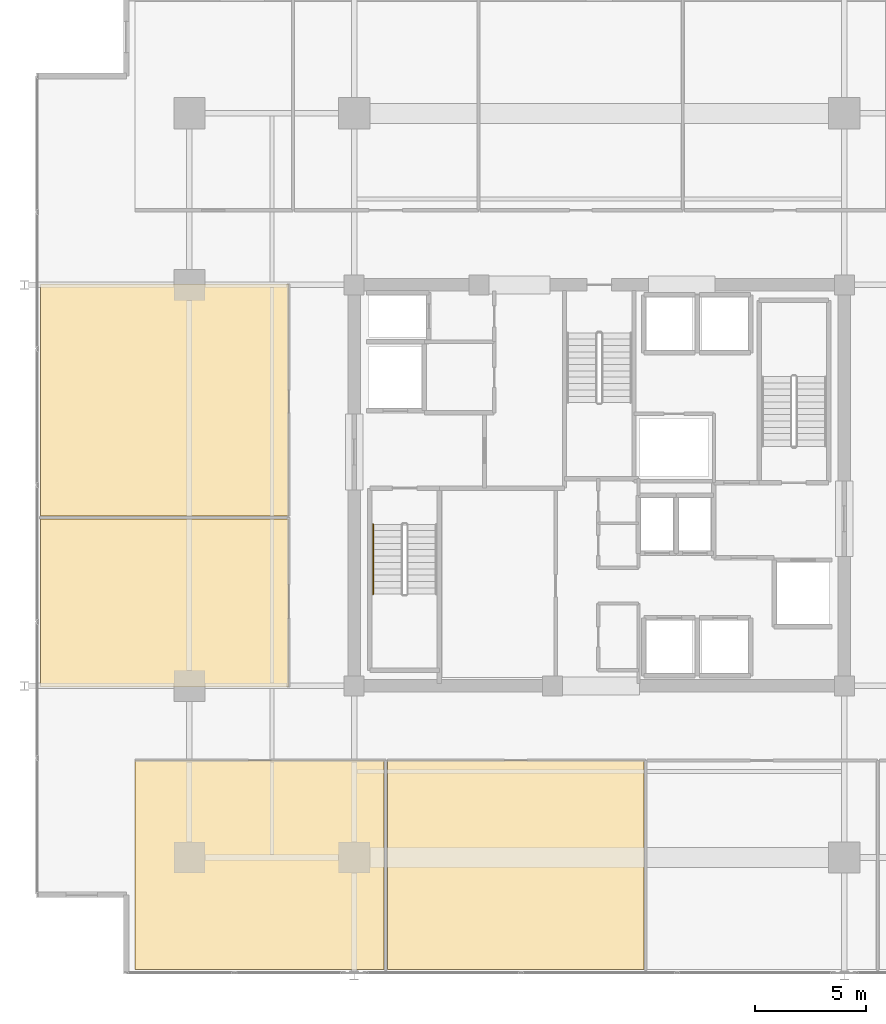
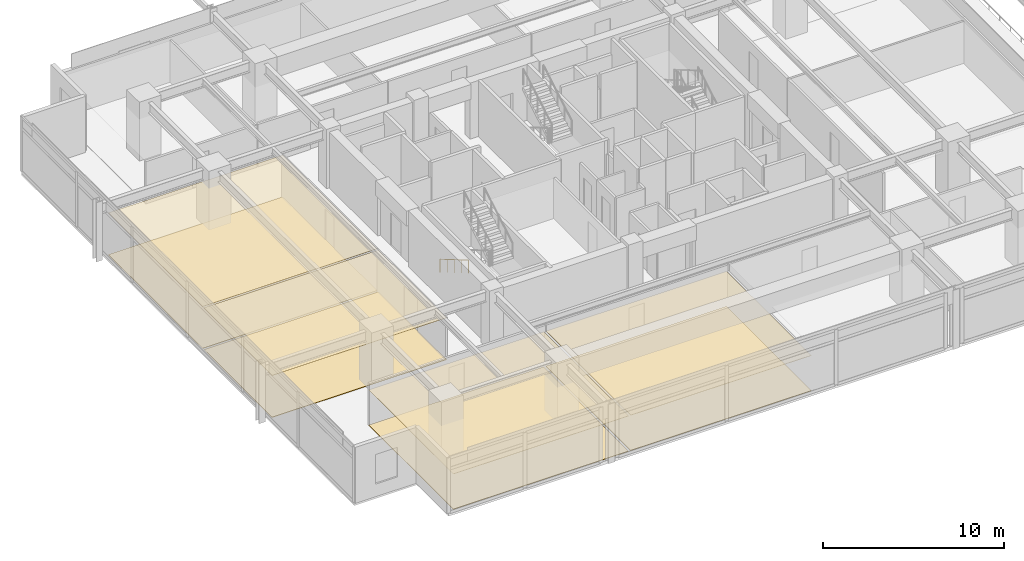
# One storey, part 17 of 20: 8 coverings, 1 railing.
"""IFC4 building model written with IfcOpenShell, lengths in metres."""

from ifc_helpers import new_model, si_unit, direction, frame, origin, origin_2d, place, context, subcontext, project, spatial, polyline, circle, outline, extrude, material, layer, layer_set, type_object, element, save


model = new_model("IFC4")

# Units and contexts
model_context = context("Model", 3, precision=1e-05, world=origin(), true_north=direction((0.0, 1.0)))
body_context = subcontext(model_context, "Body", "Model", "MODEL_VIEW")
ifc_project = project(units=[si_unit("LENGTHUNIT", "METRE"), si_unit("AREAUNIT", "SQUARE_METRE"), si_unit("VOLUMEUNIT", "CUBIC_METRE"), si_unit("PLANEANGLEUNIT", "RADIAN"), si_unit("MASSUNIT", "GRAM", prefix="KILO")], contexts=[model_context])

# Site, building, storey
site_placement = place(None, origin())
site = spatial("IfcSite", under=ifc_project, at=site_placement, CompositionType="ELEMENT")
building_placement = place(site_placement, origin())
building = spatial("IfcBuilding", under=site, at=building_placement, Name="Kovane Verandah Tower", CompositionType="ELEMENT")
storey_placement = place(building_placement, frame((0.0, 0.0, 213.199951171875)))
storey = spatial("IfcBuildingStorey", under=building, at=storey_placement, Name="L49", CompositionType="ELEMENT", Elevation=213.199951171875)

# Coverings
ifc_material_1 = material(Name="Perforated Acoustic Mineral-Fibre Ceiling Tile", Category="gypsum")
ifc_layer_1 = layer(ifc_material_1, 0.02490234375)
ifc_layer_set_1 = layer_set([ifc_layer_1], Name="Perforated Acoustic Mineral-Fibre Ceiling Tile")
covering_type_1 = type_object("IfcCoveringType", Name="CV-CEIL-25", PredefinedType="CEILING", material=ifc_layer_set_1)
covering_1_placement = place(storey_placement, frame((0.0, 0.0, 2.380126953125)))
element("IfcCovering", 1, at=covering_1_placement, inside=storey, type_object=covering_type_1, Name="L49 Collaboration Hub S1 Acoustic Ceiling", PredefinedType="CEILING", context=body_context, shape_type="SweptSolid", body=[
    extrude(outline(polyline([(19.168212890625, 5.769287109375), (30.347412109375, 5.769287109375), (30.347412109375, 15.14990234375), (19.168212890625, 15.14990234375), (19.168212890625, 5.769287109375)])), origin(), (0.0, 0.0, 1.0), 0.02490234375),
])
covering_2_placement = place(storey_placement, frame((0.0, 0.0, 2.380126953125)))
element("IfcCovering", 2, at=covering_2_placement, inside=storey, type_object=covering_type_1, Name="L49 Document and Print Room S2 Acoustic Ceiling", PredefinedType="CEILING", context=body_context, shape_type="SweptSolid", body=[
    extrude(outline(polyline([(30.4873046875, 5.769287109375), (42.01318359375, 5.769287109375), (42.01318359375, 15.14990234375), (30.4873046875, 15.14990234375), (30.4873046875, 5.769287109375)])), origin(), (0.0, 0.0, 1.0), 0.02490234375),
])
covering_3_placement = place(storey_placement, frame((0.0, 0.0, 2.824951171875)))
element("IfcCovering", 3, at=covering_3_placement, inside=storey, type_object=covering_type_1, Name="L49 Client Boardroom W1 Acoustic Ceiling", PredefinedType="CEILING", context=body_context, shape_type="SweptSolid", body=[
    extrude(outline(polyline([(14.918212890625, 18.449951171875), (26.050048828125, 18.449951171875), (26.050048828125, 25.98193359375), (14.918212890625, 25.98193359375), (14.918212890625, 18.449951171875)])), origin(), (0.0, 0.0, 1.0), 0.025146484375),
])
covering_4_placement = place(storey_placement, frame((0.0, 0.0, 2.824951171875)))
element("IfcCovering", 4, at=covering_4_placement, inside=storey, type_object=covering_type_1, Name="L49 Meeting Room W2 Acoustic Ceiling", PredefinedType="CEILING", context=body_context, shape_type="SweptSolid", body=[
    extrude(outline(polyline([(14.918212890625, 26.1220703125), (26.050048828125, 26.1220703125), (26.050048828125, 36.550048828125), (14.918212890625, 36.550048828125), (14.918212890625, 26.1220703125)])), origin(), (0.0, 0.0, 1.0), 0.025146484375),
])
ifc_material_2 = material(Name="Polished Terrazzo and Raised-Access Carpet Tile Finish", Category="concrete")
ifc_layer_2 = layer(ifc_material_2, 0.030029296875)
ifc_layer_set_2 = layer_set([ifc_layer_2], Name="Polished Terrazzo and Raised-Access Carpet Tile Finish")
covering_type_2 = type_object("IfcCoveringType", Name="CV-FLOR-30", PredefinedType="FLOORING", material=ifc_layer_set_2)
covering_5_placement = place(storey_placement, origin())
element("IfcCovering", 5, at=covering_5_placement, inside=storey, type_object=covering_type_2, Name="L49 Collaboration Hub S1 Floor Finish", PredefinedType="FLOORING", context=body_context, shape_type="SweptSolid", body=[
    extrude(outline(polyline([(19.168212890625, 5.769287109375), (30.347412109375, 5.769287109375), (30.347412109375, 15.14990234375), (19.168212890625, 15.14990234375), (19.168212890625, 5.769287109375)])), origin(), (0.0, 0.0, 1.0), 0.030029296875),
])
covering_6_placement = place(storey_placement, origin())
element("IfcCovering", 6, at=covering_6_placement, inside=storey, type_object=covering_type_2, Name="L49 Document and Print Room S2 Floor Finish", PredefinedType="FLOORING", context=body_context, shape_type="SweptSolid", body=[
    extrude(outline(polyline([(30.4873046875, 5.769287109375), (42.01318359375, 5.769287109375), (42.01318359375, 15.14990234375), (30.4873046875, 15.14990234375), (30.4873046875, 5.769287109375)])), origin(), (0.0, 0.0, 1.0), 0.030029296875),
])
covering_7_placement = place(storey_placement, origin())
element("IfcCovering", 7, at=covering_7_placement, inside=storey, type_object=covering_type_2, Name="L49 Client Boardroom W1 Floor Finish", PredefinedType="FLOORING", context=body_context, shape_type="SweptSolid", body=[
    extrude(outline(polyline([(14.918212890625, 18.449951171875), (26.050048828125, 18.449951171875), (26.050048828125, 25.98193359375), (14.918212890625, 25.98193359375), (14.918212890625, 18.449951171875)])), origin(), (0.0, 0.0, 1.0), 0.030029296875),
])
covering_8_placement = place(storey_placement, origin())
element("IfcCovering", 8, at=covering_8_placement, inside=storey, type_object=covering_type_2, Name="L49 Meeting Room W2 Floor Finish", PredefinedType="FLOORING", context=body_context, shape_type="SweptSolid", body=[
    extrude(outline(polyline([(14.918212890625, 26.1220703125), (26.050048828125, 26.1220703125), (26.050048828125, 36.550048828125), (14.918212890625, 36.550048828125), (14.918212890625, 26.1220703125)])), origin(), (0.0, 0.0, 1.0), 0.030029296875),
])

# Railing
ifc_material_3 = material(Name="Brushed Stainless Steel Handrail", Category="steel")
railing_type = type_object("IfcRailingType", Name="RL-HAND-920", PredefinedType="HANDRAIL", material=ifc_material_3)
railing_placement = place(storey_placement, frame((29.85009765625, 25.75, 0.166748046875)))
element("IfcRailing", 9, at=railing_placement, inside=storey, type_object=railing_type, Name="L49 ST-01 stair handrail 1", PredefinedType="HANDRAIL", context=body_context, shape_type="SweptSolid", body=[
    extrude(circle(Radius=0.02392578125, at=origin_2d()), frame((0.0, 0.0, 0.8759765625), z_axis=(0.0, -0.863239559939, 0.504794475164), x_axis=(1.0, 0.0, 0.0)), (0.0, 0.0, 1.0), 3.631591796875),
    extrude(circle(Radius=0.02099609375, at=origin_2d()), origin(), (0.0, 0.0, 1.0), 0.851806640625),
    extrude(circle(Radius=0.02099609375, at=origin_2d()), frame((0.0, -0.78369140625, 0.458251953125)), (0.0, 0.0, 1.0), 0.851806640625),
    extrude(circle(Radius=0.02099609375, at=origin_2d()), frame((0.0, -1.5673828125, 0.91650390625)), (0.0, 0.0, 1.0), 0.851806640625),
    extrude(circle(Radius=0.02099609375, at=origin_2d()), frame((0.0, -2.351318359375, 1.375)), (0.0, 0.0, 1.0), 0.851806640625),
    extrude(circle(Radius=0.02099609375, at=origin_2d()), frame((0.0, -3.135009765625, 1.833251953125)), (0.0, 0.0, 1.0), 0.851806640625),
])

save(model, "model.ifc")
